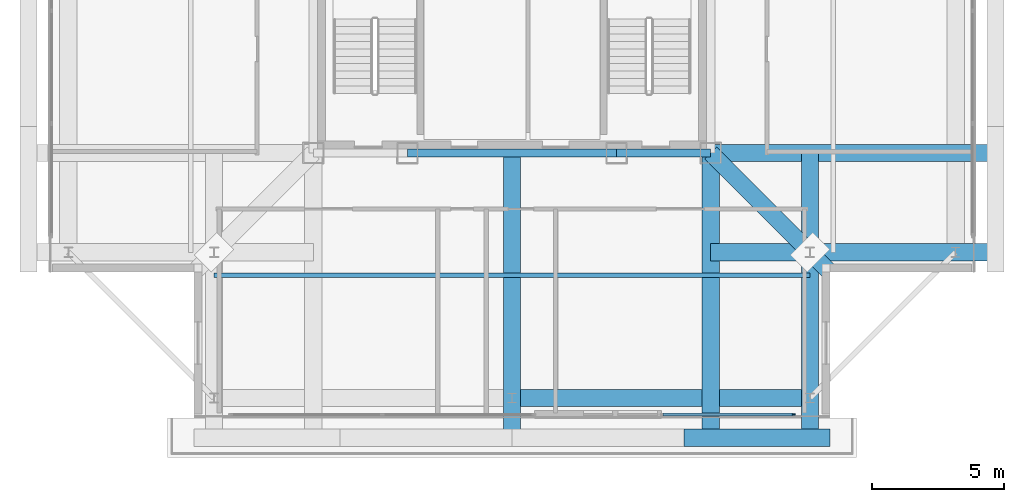
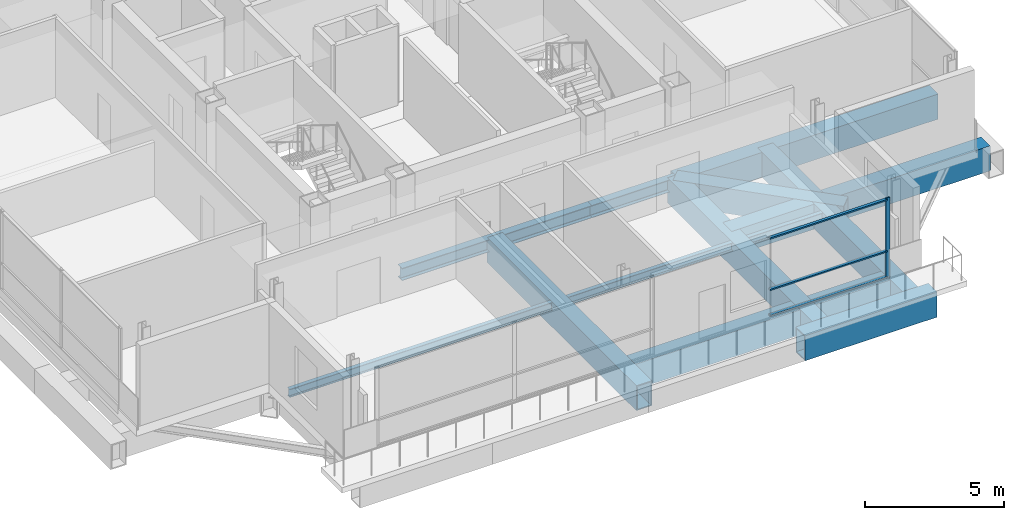
# One storey, part 3 of 15: 11 beams, 4 members, 1 element without a shape of its own.
"""IFC4 building model written with IfcOpenShell, lengths in metres."""

from ifc_helpers import new_model, si_unit, direction, frame, origin, origin_2d, place, context, subcontext, project, spatial, rectangle, hollow_rectangle, i_section, extrude, material, layer, layer_set, material_profile, profile_set, type_object, element, aggregate, save


model = new_model("IFC4")

# Units and contexts
model_context = context("Model", 3, precision=1e-05, world=origin(), true_north=direction((0.0, 1.0)))
body_context = subcontext(model_context, "Body", "Model", "MODEL_VIEW")
ifc_project = project(units=[si_unit("LENGTHUNIT", "METRE"), si_unit("AREAUNIT", "SQUARE_METRE"), si_unit("VOLUMEUNIT", "CUBIC_METRE"), si_unit("PLANEANGLEUNIT", "RADIAN"), si_unit("MASSUNIT", "GRAM", prefix="KILO")], contexts=[model_context])

# Site, building, storey
site_placement = place(None, origin())
site = spatial("IfcSite", under=ifc_project, at=site_placement, CompositionType="ELEMENT")
building_placement = place(site_placement, origin())
building = spatial("IfcBuilding", under=site, at=building_placement, Name="Trevonay Congress Spire", CompositionType="ELEMENT")
storey_placement = place(building_placement, frame((0.0, 0.0, 300.800048828125)))
storey = spatial("IfcBuildingStorey", under=building, at=storey_placement, Name="L79", CompositionType="ELEMENT", Elevation=300.800048828125)

# Beams
ifc_material_1 = material(Name="Steel ASTM A572 Grade 50", Category="steel")
ifc_material_profile_1 = material_profile(ifc_material_1, i_section(OverallWidth=0.31201171875, OverallDepth=0.54296875, WebThickness=0.0126953125, FlangeThickness=0.020263671875, FilletRadius=0.014892578125, at=origin_2d()), Name="W530x150")
ifc_profile_set_1 = profile_set([ifc_material_profile_1], Name="Steel ASTM A572 Grade 50")
beam_type_1 = type_object("IfcBeamType", Name="BM-GIRD-W530X150", PredefinedType="BEAM", material=ifc_profile_set_1)
beam_1_placement = place(storey_placement, frame((-3.949951171875, -7.5, -0.671630859375), z_axis=(1.0, 0.0, 0.0), x_axis=(0.0, 1.0, 0.0)))
element("IfcBeam", 1, at=beam_1_placement, inside=storey, type_object=beam_type_1, Name="L79 structural beam BM-L79-CR-S2", PredefinedType="BEAM", context=body_context, shape_type="SweptSolid", body=[
    extrude(i_section(OverallWidth=0.31201171875, OverallDepth=0.54296875, WebThickness=0.0126953125, FlangeThickness=0.020263671875, FilletRadius=0.014892578125, at=origin_2d()), origin(), (0.0, 0.0, 1.0), 7.89990234375),
])
beam_2_placement = place(storey_placement, frame((3.949951171875, -7.5, -0.671630859375), z_axis=(1.0, 0.0, 0.0), x_axis=(0.0, 1.0, 0.0)))
element("IfcBeam", 2, at=beam_2_placement, inside=storey, type_object=beam_type_1, Name="L79 structural beam BM-L79-CR-S3", PredefinedType="BEAM", context=body_context, shape_type="SweptSolid", body=[
    extrude(i_section(OverallWidth=0.31201171875, OverallDepth=0.54296875, WebThickness=0.0126953125, FlangeThickness=0.020263671875, FilletRadius=0.014892578125, at=origin_2d()), origin(), (0.0, 0.0, 1.0), 3.550048828125),
])
ifc_material_profile_2 = material_profile(ifc_material_1, hollow_rectangle(XDim=0.64990234375, YDim=1.10009765625, WallThickness=0.044921875, at=origin_2d()), Name="BOX 1100x650x45")
ifc_profile_set_2 = profile_set([ifc_material_profile_2], Name="Steel ASTM A572 Grade 50")
beam_type_2 = type_object("IfcBeamType", Name="BM-RING-BOX1100", PredefinedType="BEAM", material=ifc_profile_set_2)
beam_3_placement = place(storey_placement, frame((0.0, -16.75, -0.949951171875), z_axis=(1.0, 0.0, 0.0), x_axis=(0.0, 1.0, 0.0)))
element("IfcBeam", 3, at=beam_3_placement, inside=storey, type_object=beam_type_2, Name="L79 structural beam BM-L79-PS2", PredefinedType="BEAM", context=body_context, shape_type="SweptSolid", body=[
    extrude(hollow_rectangle(XDim=0.64990234375, YDim=1.10009765625, WallThickness=0.044921875, at=origin_2d()), origin(), (0.0, 0.0, 1.0), 11.25),
])
beam_4_placement = place(storey_placement, frame((6.5, -18.25, -0.949951171875), z_axis=(1.0, 0.0, 0.0), x_axis=(0.0, 1.0, 0.0)))
element("IfcBeam", 4, at=beam_4_placement, inside=storey, type_object=beam_type_2, Name="L79 structural beam XOUT-L79-S3", PredefinedType="BEAM", context=body_context, shape_type="SweptSolid", body=[
    extrude(hollow_rectangle(XDim=0.64990234375, YDim=1.10009765625, WallThickness=0.044921875, at=origin_2d()), origin(), (0.0, 0.0, 1.0), 5.5),
])
ifc_material_profile_3 = material_profile(ifc_material_1, hollow_rectangle(XDim=0.64990234375, YDim=1.10009765625, WallThickness=0.044921875, at=origin_2d()), Name="BOX 1100x650x45")
ifc_profile_set_3 = profile_set([ifc_material_profile_3], Name="Steel ASTM A572 Grade 50")
beam_type_3 = type_object("IfcBeamType", Name="BM-XFER-BOX1100", PredefinedType="BEAM", material=ifc_profile_set_3)
beam_5_placement = place(storey_placement, frame((7.5, -7.5, -0.949951171875), z_axis=(0.707106781187, -0.707106781187, 0.0), x_axis=(0.707106781187, 0.707106781187, 0.0)))
element("IfcBeam", 5, at=beam_5_placement, inside=storey, type_object=beam_type_3, Name="L79 structural beam BM-L79-CDSE", PredefinedType="BEAM", context=body_context, shape_type="SweptSolid", body=[
    extrude(hollow_rectangle(XDim=0.64990234375, YDim=1.10009765625, WallThickness=0.044921875, at=origin_2d()), origin(), (0.0, 0.0, 1.0), 6.364013671875),
])
for number, where, z_axis, x_axis, name in (
    (6, (7.5, -7.5, -0.949951171875), (1.0, 0.0, 0.0), (0.0, 1.0, 0.0), "L79 structural beam XSPN-L79-CX-SE"),
    (7, (7.5, -7.5, -0.949951171875), (0.0, -1.0, 0.0), (1.0, 0.0, 0.0), "L79 structural beam XSPN-L79-CY-SE"),
    (8, (7.5, -11.25, -0.949951171875), (1.0, 0.0, 0.0), (0.0, 1.0, 0.0), "L79 structural beam XFER-L79-E0"),
    (9, (0.0, -7.5, -0.949951171875), (0.0, -1.0, 0.0), (1.0, 0.0, 0.0), "L79 structural beam XFER-L79-S1"),
    (10, (11.25, -7.5, -0.949951171875), (0.0, -1.0, 0.0), (1.0, 0.0, 0.0), "L79 structural beam XFER-L79-S2"),
):
    element("IfcBeam", number, at=place(storey_placement, frame(where, z_axis=z_axis, x_axis=x_axis)), inside=storey, type_object=beam_type_3, Name=name, PredefinedType="BEAM", context=body_context, shape_type="SweptSolid", body=[
        extrude(hollow_rectangle(XDim=0.64990234375, YDim=1.10009765625, WallThickness=0.044921875, at=origin_2d()), origin(), (0.0, 0.0, 1.0), 10.75),
    ])

# Curtain wall, members
ifc_material_2 = material(Name="Pale Anodised Aluminium EN AW-6063-T6", Category="aluminium")
ifc_layer = layer(ifc_material_2, 0.159912109375, Name="Pale Anodised Aluminium EN AW-6063-T6")
ifc_layer_set = layer_set([ifc_layer], Name="Pale Anodised Aluminium EN AW-6063-T6")
curtain_wall_type = type_object("IfcCurtainWallType", Name="CW-SYS06-CROWN-PALE-METAL", PredefinedType="NOTDEFINED", material=ifc_layer_set)
curtain_wall_placement = place(storey_placement, origin())
curtain_wall = element("IfcCurtainWall", 11, at=curtain_wall_placement, inside=storey, type_object=curtain_wall_type, Name="L79 SB unitised curtain wall", PredefinedType="NOTDEFINED")
ifc_material_profile_4 = material_profile(ifc_material_2, rectangle(XDim=0.06005859375, YDim=0.159912109375, at=origin_2d()), Name="CW-MULLION-160-ALUMINIUM")
ifc_profile_set_4 = profile_set([ifc_material_profile_4], Name="Pale Anodised Aluminium EN AW-6063-T6")
member_type_1 = type_object("IfcMemberType", Name="CW-MULLION-160-ALUMINIUM", PredefinedType="MULLION", material=ifc_profile_set_4)
member_1_placement = place(storey_placement, frame((10.6201171875, -17.3798828125, 0.0), z_axis=(0.0, 0.0, 1.0), x_axis=(0.0, 1.0, 0.0)))
member_1 = element("IfcMember", 12, at=member_1_placement, type_object=member_type_1, Name="CW06 mullion 2", PredefinedType="MULLION", context=body_context, shape_type="SweptSolid", body=[
    extrude(rectangle(XDim=0.06005859375, YDim=0.159912109375, at=origin_2d()), origin(), (0.0, 0.0, 1.0), 3.52001953125),
])
ifc_material_profile_5 = material_profile(ifc_material_2, rectangle(XDim=0.1201171875, YDim=0.06005859375, at=origin_2d()), Name="CW-TRANSOM-120-ALUMINIUM")
ifc_profile_set_5 = profile_set([ifc_material_profile_5], Name="Pale Anodised Aluminium EN AW-6063-T6")
member_type_2 = type_object("IfcMemberType", Name="CW-TRANSOM-120-ALUMINIUM", PredefinedType="USERDEFINED", material=ifc_profile_set_5)
member_2_placement = place(storey_placement, frame((5.7099609375, -17.3798828125, 0.06005859375), z_axis=(1.0, 0.0, 0.0), x_axis=(0.0, 1.0, 0.0)))
member_2 = element("IfcMember", 13, at=member_2_placement, type_object=member_type_2, Name="CW06 transom 1.1", ObjectType="TRANSOM", PredefinedType="USERDEFINED", context=body_context, shape_type="SweptSolid", body=[
    extrude(rectangle(XDim=0.1201171875, YDim=0.06005859375, at=origin_2d()), origin(), (0.0, 0.0, 1.0), 4.880126953125),
])
member_3_placement = place(storey_placement, frame((5.7099609375, -17.3798828125, 1.19677734375), z_axis=(1.0, 0.0, 0.0), x_axis=(0.0, 1.0, 0.0)))
member_3 = element("IfcMember", 14, at=member_3_placement, type_object=member_type_2, Name="CW06 transom 1.2", ObjectType="TRANSOM", PredefinedType="USERDEFINED", context=body_context, shape_type="SweptSolid", body=[
    extrude(rectangle(XDim=0.1201171875, YDim=0.06005859375, at=origin_2d()), origin(), (0.0, 0.0, 1.0), 4.880126953125),
])
member_4_placement = place(storey_placement, frame((5.7099609375, -17.3798828125, 3.4599609375), z_axis=(1.0, 0.0, 0.0), x_axis=(0.0, 1.0, 0.0)))
member_4 = element("IfcMember", 15, at=member_4_placement, type_object=member_type_2, Name="CW06 transom 1.3", ObjectType="TRANSOM", PredefinedType="USERDEFINED", context=body_context, shape_type="SweptSolid", body=[
    extrude(rectangle(XDim=0.1201171875, YDim=0.06005859375, at=origin_2d()), origin(), (0.0, 0.0, 1.0), 4.880126953125),
])
aggregate(curtain_wall, [member_1, member_2, member_3, member_4])

# Beam
ifc_material_profile_6 = material_profile(ifc_material_1, i_section(OverallWidth=0.172119140625, OverallDepth=0.35791015625, WebThickness=0.0078125, FlangeThickness=0.01318359375, FilletRadius=0.011962890625, at=origin_2d()), Name="W360x57.8")
ifc_profile_set_6 = profile_set([ifc_material_profile_6], Name="Steel ASTM A572 Grade 50")
beam_type_4 = type_object("IfcBeamType", Name="JS-COMP-W360X57", PredefinedType="JOIST", material=ifc_profile_set_6)
beam_6_placement = place(storey_placement, frame((-11.25, -12.125, -0.5791015625), z_axis=(1.0, 0.0, 0.0), x_axis=(0.0, 1.0, 0.0)))
element("IfcBeam", 16, at=beam_6_placement, inside=storey, type_object=beam_type_4, Name="L79 structural beam JS-L79-RING-S", PredefinedType="JOIST", context=body_context, shape_type="SweptSolid", body=[
    extrude(i_section(OverallWidth=0.172119140625, OverallDepth=0.35791015625, WebThickness=0.0078125, FlangeThickness=0.01318359375, FilletRadius=0.011962890625, at=origin_2d()), origin(), (0.0, 0.0, 1.0), 22.5),
])

save(model, "model.ifc")
